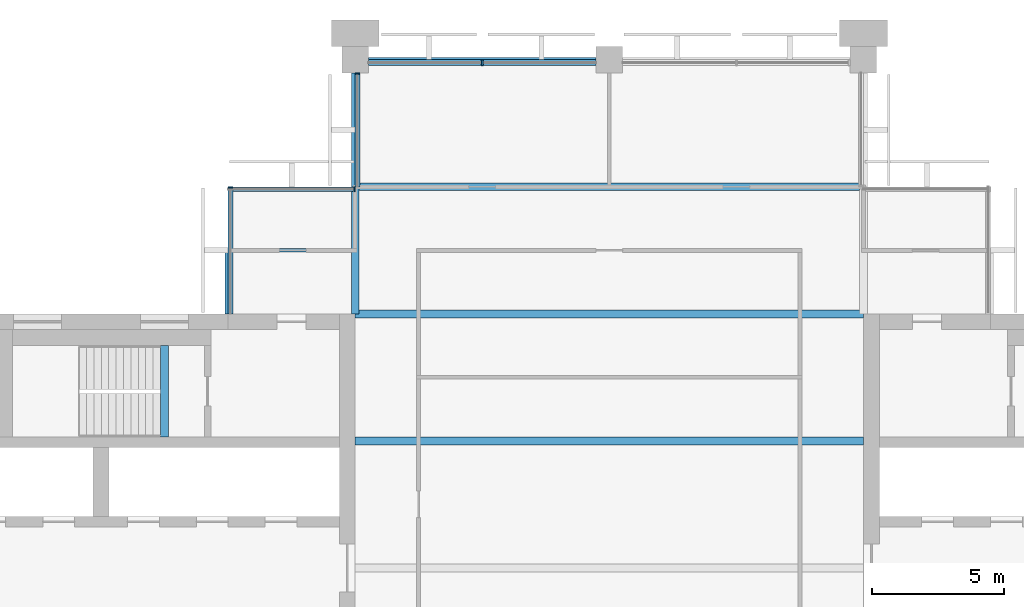
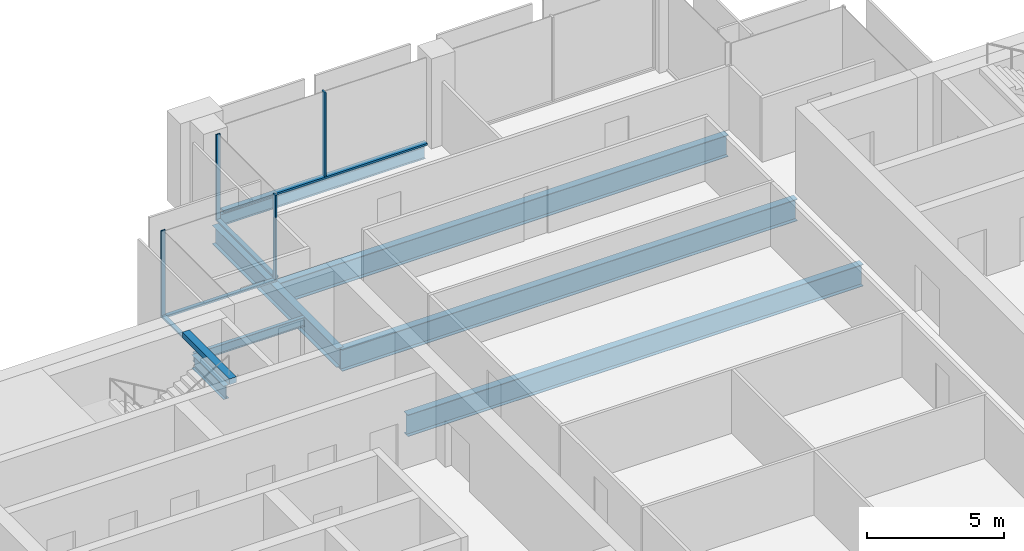
# One storey, part 5 of 12: 8 beams, 8 members, 4 elements without a shape of their own.
"""IFC4 building model written with IfcOpenShell, lengths in metres."""

import ifcopenshell
import ifcopenshell.guid

model = None  # the IFC model being written
_history = None  # IfcOwnerHistory: only IFC2X3 demands one
_inside = {}  # id of a spatial element -> (the spatial element, [elements in it])
_under = {}  # id of a project, library or spatial element -> (it, [spatial elements below it])
_declared = {}  # id of a project -> (the project, [libraries it declares])
_typed = {}  # id of a type object -> (the type object, [elements of that type])
_made_of = {}  # id of a material, layer set ... -> (it, [elements and type objects made of it])


def new_model(schema):
    """Start an empty IFC model of exactly this schema.

    Asked for "IFC4X3", IfcOpenShell would pick the latest addendum, in which some entities
    have other attributes; the version numbers below select the first issue.
    IFC2X3 requires an IfcOwnerHistory on every rooted entity: one is made here for all.
    """
    global model, _history
    if schema == "IFC4X3":
        model = ifcopenshell.file(schema_version=(4, 3, 0, 0))
    else:
        model = ifcopenshell.file(schema=schema)
    _inside.clear()
    _under.clear()
    _declared.clear()
    _typed.clear()
    _made_of.clear()
    _history = None
    if model.schema == "IFC2X3":
        org = make("IfcOrganization", Name="unknown")
        user = make(
            "IfcPersonAndOrganization",
            ThePerson=make("IfcPerson", FamilyName="unknown"),
            TheOrganization=org,
        )
        app = make(
            "IfcApplication",
            ApplicationDeveloper=org,
            Version="unknown",
            ApplicationFullName="unknown",
            ApplicationIdentifier="unknown",
        )
        _history = make(
            "IfcOwnerHistory",
            OwningUser=user,
            OwningApplication=app,
            ChangeAction="ADDED",
            CreationDate=0,
        )
    return model


def make(cls, **values):
    """One entity of the class cls with the attributes given. An attribute that is None is left unset."""
    return model.create_entity(
        cls, **{name: value for name, value in values.items() if value is not None}
    )


def rooted(cls, **values):
    """An entity with a GlobalId (a new one), such as an element, a storey or a relation."""
    return make(cls, GlobalId=ifcopenshell.guid.new(), OwnerHistory=_history, **values)


def si_unit(unit_type, name, prefix=None):
    """IfcSIUnit, for example si_unit("LENGTHUNIT", "METRE", prefix="MILLI")."""
    return make("IfcSIUnit", UnitType=unit_type, Prefix=prefix, Name=name)


def assignment(units):
    """IfcUnitAssignment: the units of a project."""
    return None if units is None else make("IfcUnitAssignment", Units=units)


def point(xyz):
    """IfcCartesianPoint."""
    return None if xyz is None else make("IfcCartesianPoint", Coordinates=xyz)


def direction(xyz):
    """IfcDirection."""
    return None if xyz is None else make("IfcDirection", DirectionRatios=xyz)


def frame(location, z_axis=None, x_axis=None):
    """IfcAxis2Placement3D, a coordinate frame: its origin and axes. An axis left out is left unset."""
    return make(
        "IfcAxis2Placement3D",
        Location=point(location),
        Axis=direction(z_axis),
        RefDirection=direction(x_axis),
    )


def frame_2d(location, x_axis=None):
    """IfcAxis2Placement2D, a coordinate frame in the plane: its origin and x axis."""
    return make(
        "IfcAxis2Placement2D", Location=point(location), RefDirection=direction(x_axis)
    )


def origin():
    """The frame at (0, 0, 0) with its axes left unset."""
    return frame((0.0, 0.0, 0.0))


def origin_2d():
    """The frame at (0, 0) in the plane with its x axis left unset."""
    return frame_2d((0.0, 0.0))


def place(relative_to, where):
    """IfcLocalPlacement: puts the frame where relative to a parent placement (None: the world)."""
    return make(
        "IfcLocalPlacement", PlacementRelTo=relative_to, RelativePlacement=where
    )


def context(
    kind, dimensions, precision=None, world=None, true_north=None, identifier=None
):
    """IfcGeometricRepresentationContext, for example the 3D "Model" context."""
    return make(
        "IfcGeometricRepresentationContext",
        ContextIdentifier=identifier,
        ContextType=kind,
        CoordinateSpaceDimension=dimensions,
        Precision=precision,
        WorldCoordinateSystem=world,
        TrueNorth=true_north,
    )


def subcontext(parent, identifier, kind, view, scale=None):
    """IfcGeometricRepresentationSubContext, for example "Body" below "Model"."""
    return make(
        "IfcGeometricRepresentationSubContext",
        ContextIdentifier=identifier,
        ContextType=kind,
        ParentContext=parent,
        TargetScale=scale,
        TargetView=view,
    )


def project(units=None, contexts=None):
    """IfcProject with its units and contexts."""
    return rooted(
        "IfcProject",
        Name="project",
        RepresentationContexts=contexts,
        UnitsInContext=assignment(units),
    )


def spatial(cls, under=None, at=None, **own):
    """A site, building, storey or space (cls), placed at a placement, below another one or the project."""
    s = rooted(cls, ObjectPlacement=at, **own)
    if under is not None:
        _under.setdefault(under.id(), (under, []))[1].append(s)
    return s


def profile(cls, at=None, kind="AREA", **sizes):
    """A parametric profile (cls). Its sizes go by their IFC names, for example OverallWidth=200.0."""
    return make(cls, ProfileType=kind, Position=at, **sizes)


def rectangle(**sizes):
    """IfcRectangleProfileDef."""
    return profile("IfcRectangleProfileDef", **sizes)


def i_section(**sizes):
    """IfcIShapeProfileDef."""
    return profile("IfcIShapeProfileDef", **sizes)


def extrude(swept, where, along, depth):
    """IfcExtrudedAreaSolid: the profile swept, set in the frame where, extruded along a direction by depth."""
    return make(
        "IfcExtrudedAreaSolid",
        SweptArea=swept,
        Position=where,
        ExtrudedDirection=direction(along),
        Depth=depth,
    )


def shape(context_of_items, identifier, shape_type, items):
    """IfcShapeRepresentation: the items that make up one representation, for example the "Body"."""
    return make(
        "IfcShapeRepresentation",
        ContextOfItems=context_of_items,
        RepresentationIdentifier=identifier,
        RepresentationType=shape_type,
        Items=items,
    )


def material(Name=None, Category=None):
    """IfcMaterial."""
    return make("IfcMaterial", Name=Name, Category=Category)


def material_profile(
    of_material, cross_section, Name=None, Category=None, Priority=None
):
    """IfcMaterialProfile: a cross section and its material."""
    return make(
        "IfcMaterialProfile",
        Name=Name,
        Material=of_material,
        Profile=cross_section,
        Priority=Priority,
        Category=Category,
    )


def profile_set(profiles, Name=None, composite=None):
    """IfcMaterialProfileSet."""
    return make(
        "IfcMaterialProfileSet",
        Name=Name,
        MaterialProfiles=profiles,
        CompositeProfile=composite,
    )


def made_of(thing, what):
    """Note that an element or type object is made of a material, layer set ...; save() writes the relation."""
    if what is not None:
        _made_of.setdefault(what.id(), (what, []))[1].append(thing)
    return thing


def type_object(cls, material=None, **own):
    """A type object (cls), such as IfcWallType, which elements share."""
    return made_of(rooted(cls, **own), material)


def element(
    cls,
    number,
    at=None,
    inside=None,
    cuts=None,
    type_object=None,
    material=None,
    context=None,
    identifier="Body",
    shape_type=None,
    held_by="IfcProductDefinitionShape",
    body=None,
    shapes=None,
    **own,
):
    """One element of the class cls, such as IfcWall. Its Tag is "e" and its number.

    at: its placement. inside: the storey or other place that contains it. cuts: it is an
    opening in that element (IfcRelVoidsElement). A single representation is given by context,
    identifier, shape_type and body (its items); several are given by shapes. held_by: the class
    of the entity that holds the representations. save() writes the other relations.
    """
    e = rooted(cls, Tag="e%d" % number, ObjectPlacement=at, **own)
    if body is not None:
        shapes = [shape(context, identifier, shape_type, body)]
    if shapes is not None:
        e.Representation = make(held_by, Representations=shapes)
    if inside is not None:
        _inside.setdefault(inside.id(), (inside, []))[1].append(e)
    if cuts is not None:
        rooted(
            "IfcRelVoidsElement", RelatingBuildingElement=cuts, RelatedOpeningElement=e
        )
    if type_object is not None:
        _typed.setdefault(type_object.id(), (type_object, []))[1].append(e)
    return made_of(e, material)


def aggregate(whole, parts):
    """IfcRelAggregates: a whole, such as a stair, and the parts it consists of."""
    return rooted("IfcRelAggregates", RelatingObject=whole, RelatedObjects=parts)


def save(model, path):
    """Write the relations noted so far, then the file.

    IfcRelAggregates (storeys below a building ...), IfcRelContainedInSpatialStructure (elements
    in a storey), IfcRelDefinesByType, IfcRelAssociatesMaterial and IfcRelDeclares: one each for
    every whole, place, type object, material and project.
    """
    for whole, parts in _under.values():
        aggregate(whole, parts)
    for where, things in _inside.values():
        rooted(
            "IfcRelContainedInSpatialStructure",
            RelatedElements=things,
            RelatingStructure=where,
        )
    for kind, things in _typed.values():
        rooted("IfcRelDefinesByType", RelatedObjects=things, RelatingType=kind)
    for what, things in _made_of.values():
        rooted("IfcRelAssociatesMaterial", RelatedObjects=things, RelatingMaterial=what)
    for by, libraries in _declared.values():
        rooted("IfcRelDeclares", RelatingContext=by, RelatedDefinitions=libraries)
    model.write(path)


model = new_model("IFC4")

# Units and contexts
model_context = context("Model", 3, precision=1e-05, world=origin(), true_north=direction((0.0, 1.0)))
body_context = subcontext(model_context, "Body", "Model", "MODEL_VIEW")
ifc_project = project(units=[si_unit("LENGTHUNIT", "METRE"), si_unit("AREAUNIT", "SQUARE_METRE"), si_unit("VOLUMEUNIT", "CUBIC_METRE"), si_unit("PLANEANGLEUNIT", "RADIAN"), si_unit("MASSUNIT", "GRAM", prefix="KILO")], contexts=[model_context])

# Site, building, storey
site_placement = place(None, origin())
site = spatial("IfcSite", under=ifc_project, at=site_placement, CompositionType="ELEMENT")
building_placement = place(site_placement, origin())
building = spatial("IfcBuilding", under=site, at=building_placement, Name="Baori Bourse Tower", CompositionType="ELEMENT")
storey_placement = place(building_placement, frame((0.0, 0.0, 310.300048828125)))
storey = spatial("IfcBuildingStorey", under=building, at=storey_placement, Name="L68", CompositionType="ELEMENT", Elevation=310.300048828125)

# Curtain wall, member
ifc_material_1 = material(Name="Pale anodised aluminium", Category="aluminium")
curtain_wall_type_1 = type_object("IfcCurtainWallType", Name="CW2 Curtain wall", PredefinedType="NOTDEFINED", material=ifc_material_1)
curtain_wall_1_placement = place(storey_placement, origin())
curtain_wall_1 = element("IfcCurtainWall", 1, at=curtain_wall_1_placement, inside=storey, type_object=curtain_wall_type_1, Name="Curtain wall CW2 L68 5", PredefinedType="NOTDEFINED")
ifc_material_2 = material(Name="Pale anodised aluminium", Category="aluminium")
ifc_material_profile_1 = material_profile(ifc_material_2, rectangle(XDim=0.179931640625, YDim=0.054931640625, at=origin_2d()), Name="Mullion 55x180")
ifc_profile_set_1 = profile_set([ifc_material_profile_1], Name="Pale anodised aluminium")
member_type_1 = type_object("IfcMemberType", Name="CW2 Curtain wall mullion", PredefinedType="MULLION", material=ifc_profile_set_1)
member_1_placement = place(storey_placement, frame((19.2900390625, 47.472412109375, 0.070068359375), z_axis=(0.0, 0.0, 1.0), x_axis=(1.0, 0.0, 0.0)))
member_1 = element("IfcMember", 2, at=member_1_placement, type_object=member_type_1, Name="Curtain wall CW2 mullion", PredefinedType="MULLION", context=body_context, shape_type="SweptSolid", body=[
    extrude(rectangle(XDim=0.179931640625, YDim=0.054931640625, at=origin_2d()), origin(), (0.0, 0.0, 1.0), 3.769775390625),
])

curtain_wall_2_placement = place(storey_placement, origin())
curtain_wall_2 = element("IfcCurtainWall", 3, at=curtain_wall_2_placement, inside=storey, type_object=curtain_wall_type_1, Name="Curtain wall CW2 L68 6", PredefinedType="NOTDEFINED")
member_2_placement = place(storey_placement, frame((19.172607421875, 43.110107421875, 0.070068359375), z_axis=(0.0, 0.0, 1.0), x_axis=(0.0, -1.0, 0.0)))
member_2 = element("IfcMember", 4, at=member_2_placement, type_object=member_type_1, Name="Curtain wall CW2 mullion", PredefinedType="MULLION", context=body_context, shape_type="SweptSolid", body=[
    extrude(rectangle(XDim=0.179931640625, YDim=0.054931640625, at=origin_2d()), origin(), (0.0, 0.0, 1.0), 3.769775390625),
])

curtain_wall_3_placement = place(storey_placement, origin())
curtain_wall_3 = element("IfcCurtainWall", 5, at=curtain_wall_3_placement, inside=storey, type_object=curtain_wall_type_1, Name="Curtain wall CW2 L68 7", PredefinedType="NOTDEFINED")
member_3_placement = place(storey_placement, frame((14.489990234375, 43.172607421875, 0.070068359375), z_axis=(0.0, 0.0, 1.0), x_axis=(1.0, 0.0, 0.0)))
member_3 = element("IfcMember", 6, at=member_3_placement, type_object=member_type_1, Name="Curtain wall CW2 mullion", PredefinedType="MULLION", context=body_context, shape_type="SweptSolid", body=[
    extrude(rectangle(XDim=0.179931640625, YDim=0.054931640625, at=origin_2d()), origin(), (0.0, 0.0, 1.0), 3.769775390625),
])

# Member
ifc_material_3 = material(Name="Pale anodised aluminium", Category="aluminium")
ifc_material_profile_2 = material_profile(ifc_material_3, rectangle(XDim=0.179931640625, YDim=0.070068359375, at=origin_2d()), Name="Transom 70x180")
ifc_profile_set_2 = profile_set([ifc_material_profile_2], Name="Pale anodised aluminium")
member_type_2 = type_object("IfcMemberType", Name="CW2 Curtain wall transom", PredefinedType="USERDEFINED", material=ifc_profile_set_2)
member_4_placement = place(storey_placement, frame((19.2900390625, 47.5, 0.034912109375), z_axis=(0.0, -1.0, 0.0), x_axis=(1.0, 0.0, 0.0)))
member_4 = element("IfcMember", 7, at=member_4_placement, type_object=member_type_2, Name="Curtain wall CW2 sill rail", ObjectType="TRANSOM", PredefinedType="USERDEFINED", context=body_context, shape_type="SweptSolid", body=[
    extrude(rectangle(XDim=0.179931640625, YDim=0.070068359375, at=origin_2d()), origin(), (0.0, 0.0, 1.0), 4.300048828125),
])

aggregate(curtain_wall_1, [member_4, member_1])

member_5_placement = place(storey_placement, frame((19.199951171875, 43.110107421875, 0.034912109375), z_axis=(-1.0, 0.0, 0.0), x_axis=(0.0, -1.0, 0.0)))
member_5 = element("IfcMember", 8, at=member_5_placement, type_object=member_type_2, Name="Curtain wall CW2 sill rail", ObjectType="TRANSOM", PredefinedType="USERDEFINED", context=body_context, shape_type="SweptSolid", body=[
    extrude(rectangle(XDim=0.179931640625, YDim=0.070068359375, at=origin_2d()), origin(), (0.0, 0.0, 1.0), 4.800048828125),
])

aggregate(curtain_wall_2, [member_5, member_2])

member_6_placement = place(storey_placement, frame((14.489990234375, 43.199951171875, 0.034912109375), z_axis=(0.0, -1.0, 0.0), x_axis=(1.0, 0.0, 0.0)))
member_6 = element("IfcMember", 9, at=member_6_placement, type_object=member_type_2, Name="Curtain wall CW2 sill rail", ObjectType="TRANSOM", PredefinedType="USERDEFINED", context=body_context, shape_type="SweptSolid", body=[
    extrude(rectangle(XDim=0.179931640625, YDim=0.070068359375, at=origin_2d()), origin(), (0.0, 0.0, 1.0), 4.800048828125),
])

aggregate(curtain_wall_3, [member_6, member_3])

# Curtain wall, members
ifc_material_4 = material(Name="Pale anodised aluminium", Category="aluminium")
curtain_wall_type_2 = type_object("IfcCurtainWallType", Name="CW5 Curtain wall", PredefinedType="NOTDEFINED", material=ifc_material_4)
curtain_wall_4_placement = place(storey_placement, origin())
curtain_wall_4 = element("IfcCurtainWall", 10, at=curtain_wall_4_placement, inside=storey, type_object=curtain_wall_type_2, Name="Curtain wall CW5 L68 4", PredefinedType="NOTDEFINED")
ifc_material_5 = material(Name="Pale anodised aluminium", Category="aluminium")
ifc_material_profile_3 = material_profile(ifc_material_5, rectangle(XDim=0.219970703125, YDim=0.06494140625, at=origin_2d()), Name="Mullion 65x220")
ifc_profile_set_3 = profile_set([ifc_material_profile_3], Name="Pale anodised aluminium")
member_type_3 = type_object("IfcMemberType", Name="CW5 Curtain wall mullion", PredefinedType="MULLION", material=ifc_profile_set_3)
member_7_placement = place(storey_placement, frame((24.0, 47.889892578125, 0.0849609375), z_axis=(0.0, 0.0, 1.0), x_axis=(0.0, -1.0, 0.0)))
member_7 = element("IfcMember", 11, at=member_7_placement, type_object=member_type_3, Name="Curtain wall CW5 mullion", PredefinedType="MULLION", context=body_context, shape_type="SweptSolid", body=[
    extrude(rectangle(XDim=0.219970703125, YDim=0.06494140625, at=origin_2d()), origin(), (0.0, 0.0, 1.0), 3.7548828125),
])
ifc_material_6 = material(Name="Pale anodised aluminium", Category="aluminium")
ifc_material_profile_4 = material_profile(ifc_material_6, rectangle(XDim=0.219970703125, YDim=0.0849609375, at=origin_2d()), Name="Transom 85x220")
ifc_profile_set_4 = profile_set([ifc_material_profile_4], Name="Pale anodised aluminium")
member_type_4 = type_object("IfcMemberType", Name="CW5 Curtain wall transom", PredefinedType="USERDEFINED", material=ifc_profile_set_4)
member_8_placement = place(storey_placement, frame((28.300048828125, 47.889892578125, 0.04248046875), z_axis=(-1.0, 0.0, 0.0), x_axis=(0.0, -1.0, 0.0)))
member_8 = element("IfcMember", 12, at=member_8_placement, type_object=member_type_4, Name="Curtain wall CW5 sill rail", ObjectType="TRANSOM", PredefinedType="USERDEFINED", context=body_context, shape_type="SweptSolid", body=[
    extrude(rectangle(XDim=0.219970703125, YDim=0.0849609375, at=origin_2d()), origin(), (0.0, 0.0, 1.0), 8.60009765625),
])
aggregate(curtain_wall_4, [member_8, member_7])

# Beams
ifc_material_7 = material(Name="Steel A992 Gr 50", Category="steel")
ifc_material_profile_5 = material_profile(ifc_material_7, i_section(OverallWidth=0.227783203125, OverallDepth=0.60205078125, WebThickness=0.010498046875, FlangeThickness=0.014892578125, at=origin_2d()), Name="W24x68")
ifc_profile_set_5 = profile_set([ifc_material_profile_5], Name="Steel A992 Gr 50")
beam_type_1 = type_object("IfcBeamType", Name="Core bracket W24x68", PredefinedType="BEAM", material=ifc_profile_set_5)
beam_1_placement = place(storey_placement, frame((14.39990234375, 38.39990234375, -0.4609375), z_axis=(0.0, 1.0, 0.0), x_axis=(-1.0, 0.0, 0.0)))
element("IfcBeam", 13, at=beam_1_placement, inside=storey, type_object=beam_type_1, Name="Core bracket L68", PredefinedType="BEAM", context=body_context, shape_type="SweptSolid", body=[
    extrude(i_section(OverallWidth=0.227783203125, OverallDepth=0.60205078125, WebThickness=0.010498046875, FlangeThickness=0.014892578125, at=origin_2d()), origin(), (0.0, 0.0, 1.0), 2.329833984375),
])
ifc_material_8 = material(Name="Steel A992 Gr 50", Category="steel")
ifc_material_profile_6 = material_profile(ifc_material_8, i_section(OverallWidth=0.1650390625, OverallDepth=0.52587890625, WebThickness=0.0087890625, FlangeThickness=0.011474609375, at=origin_2d()), Name="W21x44")
ifc_profile_set_6 = profile_set([ifc_material_profile_6], Name="Steel A992 Gr 50")
beam_type_2 = type_object("IfcBeamType", Name="Edge beam W21x44", PredefinedType="BEAM", material=ifc_profile_set_6)
beam_2_placement = place(storey_placement, frame((19.699951171875, 48.0, -0.4228515625), z_axis=(1.0, 0.0, 0.0), x_axis=(0.0, 1.0, 0.0)))
element("IfcBeam", 14, at=beam_2_placement, inside=storey, type_object=beam_type_2, Name="Edge beam L68", PredefinedType="BEAM", context=body_context, shape_type="SweptSolid", body=[
    extrude(i_section(OverallWidth=0.1650390625, OverallDepth=0.52587890625, WebThickness=0.0087890625, FlangeThickness=0.011474609375, at=origin_2d()), origin(), (0.0, 0.0, 1.0), 8.60009765625),
])
ifc_material_9 = material(Name="Steel A992 Gr 50", Category="steel")
ifc_material_profile_7 = material_profile(ifc_material_9, i_section(OverallWidth=0.2998046875, OverallDepth=0.97021484375, WebThickness=0.01611328125, FlangeThickness=0.02099609375, at=origin_2d()), Name="W40x149")
ifc_profile_set_7 = profile_set([ifc_material_profile_7], Name="Steel A992 Gr 50")
beam_type_3 = type_object("IfcBeamType", Name="Floor beam W40x149", PredefinedType="BEAM", material=ifc_profile_set_7)
for number, where, z_axis, x_axis, name in (
    (15, (19.199951171875, 33.60009765625, -0.645263671875), (1.0, 0.0, 0.0), (0.0, 1.0, 0.0), "Floor beam L68"),
    (16, (19.199951171875, 38.39990234375, -0.645263671875), (1.0, 0.0, 0.0), (0.0, 1.0, 0.0), "Floor beam L68"),
):
    element("IfcBeam", number, at=place(storey_placement, frame(where, z_axis=z_axis, x_axis=x_axis)), inside=storey, type_object=beam_type_3, Name=name, PredefinedType="BEAM", context=body_context, shape_type="SweptSolid", body=[
        extrude(i_section(OverallWidth=0.2998046875, OverallDepth=0.97021484375, WebThickness=0.01611328125, FlangeThickness=0.02099609375, at=origin_2d()), origin(), (0.0, 0.0, 1.0), 19.199951171875),
    ])
beam_3_placement = place(storey_placement, frame((19.345947265625, 43.199951171875, -0.645263671875), z_axis=(1.0, 0.0, 0.0), x_axis=(0.0, 1.0, 0.0)))
element("IfcBeam", 17, at=beam_3_placement, inside=storey, type_object=beam_type_3, Name="Floor beam L68", PredefinedType="BEAM", context=body_context, shape_type="SweptSolid", body=[
    extrude(i_section(OverallWidth=0.2998046875, OverallDepth=0.97021484375, WebThickness=0.01611328125, FlangeThickness=0.02099609375, at=origin_2d()), origin(), (0.0, 0.0, 1.0), 18.907958984375),
])
ifc_material_10 = material(Name="Steel A992 Gr 50", Category="steel")
ifc_material_profile_8 = material_profile(ifc_material_10, i_section(OverallWidth=0.2919921875, OverallDepth=0.835693359375, WebThickness=0.013916015625, FlangeThickness=0.018798828125, at=origin_2d()), Name="W33x118")
ifc_profile_set_8 = profile_set([ifc_material_profile_8], Name="Steel A992 Gr 50")
beam_type_4 = type_object("IfcBeamType", Name="Girder W33x118", PredefinedType="BEAM", material=ifc_profile_set_8)
beam_4_placement = place(storey_placement, frame((19.199951171875, 38.39990234375, -0.577880859375), z_axis=(0.0, 1.0, 0.0), x_axis=(-1.0, 0.0, 0.0)))
element("IfcBeam", 18, at=beam_4_placement, inside=storey, type_object=beam_type_4, Name="Girder L68", PredefinedType="BEAM", context=body_context, shape_type="SweptSolid", body=[
    extrude(i_section(OverallWidth=0.2919921875, OverallDepth=0.835693359375, WebThickness=0.013916015625, FlangeThickness=0.018798828125, at=origin_2d()), origin(), (0.0, 0.0, 1.0), 9.10009765625),
])
ifc_material_11 = material(Name="Concrete f'c 50 MPa", Category="concrete")
ifc_material_profile_9 = material_profile(ifc_material_11, rectangle(XDim=0.300048828125, YDim=0.25, at=origin_2d()), Name="RC 300x250")
ifc_profile_set_9 = profile_set([ifc_material_profile_9], Name="Concrete f'c 50 MPa")
beam_type_5 = type_object("IfcBeamType", Name="Stair nib beam RC 300x250", PredefinedType="BEAM", material=ifc_profile_set_9)
beam_5_placement = place(storey_placement, frame((12.0, 33.75, 3.71484375), z_axis=(0.0, 1.0, 0.0), x_axis=(-1.0, 0.0, 0.0)))
element("IfcBeam", 19, at=beam_5_placement, inside=storey, type_object=beam_type_5, Name="Stair WB nib beam L69", PredefinedType="BEAM", context=body_context, shape_type="SweptSolid", body=[
    extrude(rectangle(XDim=0.300048828125, YDim=0.25, at=origin_2d()), origin(), (0.0, 0.0, 1.0), 3.449951171875),
])
ifc_material_12 = material(Name="Steel A992 Gr 50", Category="steel")
ifc_material_profile_10 = material_profile(ifc_material_12, i_section(OverallWidth=0.140380859375, OverallDepth=0.40380859375, WebThickness=0.007080078125, FlangeThickness=0.01123046875, at=origin_2d()), Name="W16x31")
ifc_profile_set_10 = profile_set([ifc_material_profile_10], Name="Steel A992 Gr 50")
beam_type_6 = type_object("IfcBeamType", Name="Trimmer beam W16x31", PredefinedType="BEAM", material=ifc_profile_set_10)
beam_6_placement = place(storey_placement, frame((14.39990234375, 40.800048828125, -0.362060546875), z_axis=(1.0, 0.0, 0.0), x_axis=(0.0, 1.0, 0.0)))
element("IfcBeam", 20, at=beam_6_placement, inside=storey, type_object=beam_type_6, Name="Trimmer beam L68", PredefinedType="BEAM", context=body_context, shape_type="SweptSolid", body=[
    extrude(i_section(OverallWidth=0.140380859375, OverallDepth=0.40380859375, WebThickness=0.007080078125, FlangeThickness=0.01123046875, at=origin_2d()), origin(), (0.0, 0.0, 1.0), 4.654052734375),
])

save(model, "model.ifc")
